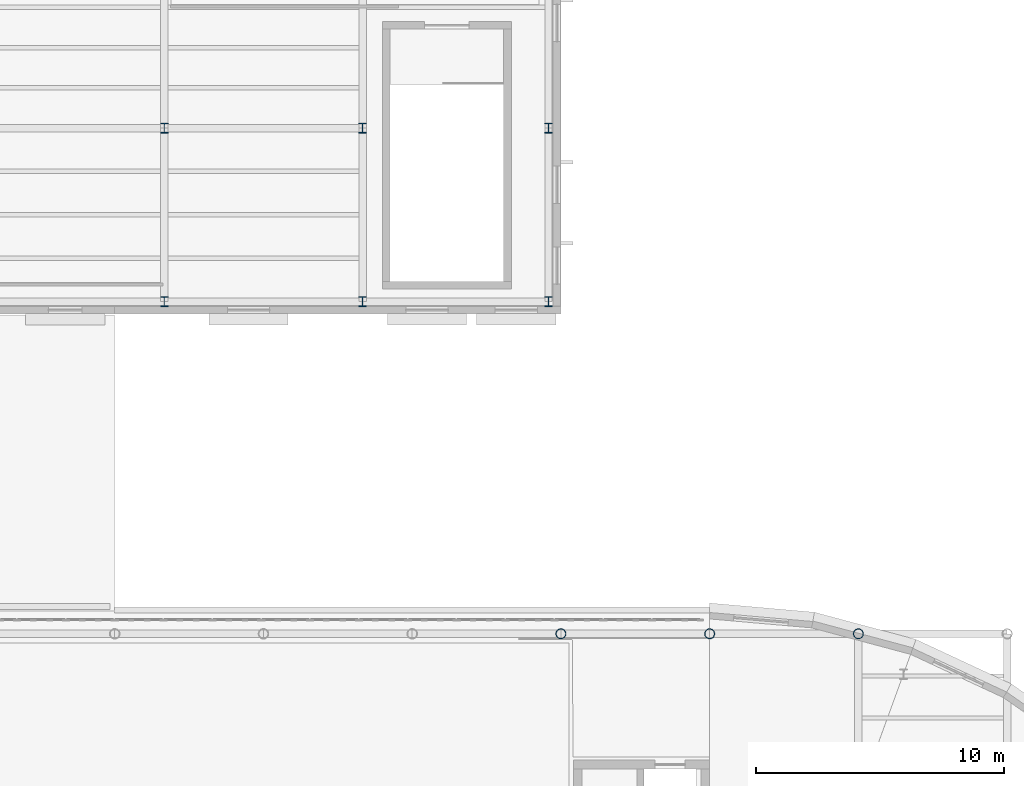
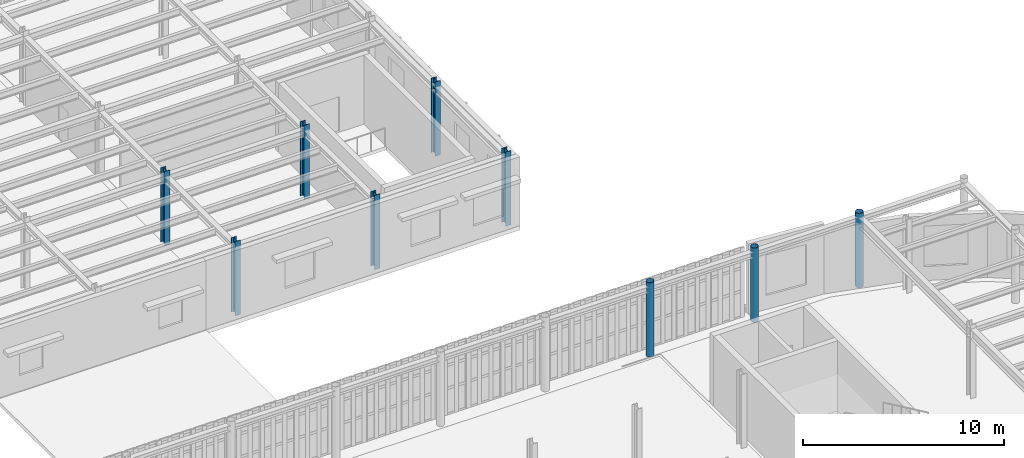
# One storey, part 12 of 91: 9 columns.
"""IFC4 building model written with IfcOpenShell, lengths in metres."""

from ifc_helpers import new_model, si_unit, direction, frame, origin, origin_2d, place, context, subcontext, project, spatial, hollow_circle, i_section, extrude, material, material_profile, profile_set, type_object, element, save


model = new_model("IFC4")

# Units and contexts
model_context = context("Model", 3, precision=1e-05, world=origin(), true_north=direction((0.0, 1.0)))
body_context = subcontext(model_context, "Body", "Model", "MODEL_VIEW")
ifc_project = project(units=[si_unit("LENGTHUNIT", "METRE"), si_unit("AREAUNIT", "SQUARE_METRE"), si_unit("VOLUMEUNIT", "CUBIC_METRE"), si_unit("PLANEANGLEUNIT", "RADIAN"), si_unit("MASSUNIT", "GRAM", prefix="KILO")], contexts=[model_context])

# Site, building, storey
site_placement = place(None, origin())
site = spatial("IfcSite", under=ifc_project, at=site_placement, CompositionType="ELEMENT")
building_placement = place(site_placement, origin())
building = spatial("IfcBuilding", under=site, at=building_placement, Name="Kolvaren Corner Interchange", CompositionType="ELEMENT")
storey_placement = place(building_placement, frame((0.0, 0.0, 6.0)))
storey = spatial("IfcBuildingStorey", under=building, at=storey_placement, Name="L02", CompositionType="ELEMENT", Elevation=6.0)

# Columns
ifc_material_1 = material(Name="Steel S355", Category="steel")
ifc_material_profile_1 = material_profile(ifc_material_1, hollow_circle(Radius=0.203125, WallThickness=0.01611328125, at=origin_2d()), Name="CHS 406.4x16.0")
ifc_profile_set_1 = profile_set([ifc_material_profile_1], Name="Steel S355")
column_type_1 = type_object("IfcColumnType", Name="COL-CHS406", PredefinedType="COLUMN", material=ifc_profile_set_1)
for number, where, z_axis, x_axis, name in (
    (1, (114.0, 71.10009765625, 0.0), (0.0, 0.0, 1.0), (1.0, 0.0, 0.0), "Storey L02 Structural Column 0661"),
    (2, (120.0, 71.10009765625, 0.0), (0.0, 0.0, 1.0), (1.0, 0.0, 0.0), "Storey L02 Structural Column 0675"),
    (3, (126.0, 71.10009765625, 0.0), (0.0, 0.0, 1.0), (1.0, 0.0, 0.0), "Storey L02 Structural Column 0745"),
):
    element("IfcColumn", number, at=place(storey_placement, frame(where, z_axis=z_axis, x_axis=x_axis)), inside=storey, type_object=column_type_1, Name=name, PredefinedType="COLUMN", context=body_context, shape_type="SweptSolid", body=[
        extrude(hollow_circle(Radius=0.203125, WallThickness=0.01611328125, at=origin_2d()), origin(), (0.0, 0.0, 1.0), 4.5),
    ])
ifc_material_2 = material(Name="Steel S355", Category="steel")
ifc_material_profile_2 = material_profile(ifc_material_2, i_section(OverallWidth=0.300048828125, OverallDepth=0.39990234375, WebThickness=0.013427734375, FlangeThickness=0.02392578125, FilletRadius=0.027099609375, at=origin_2d()), Name="HEB 400")
ifc_profile_set_2 = profile_set([ifc_material_profile_2], Name="Steel S355")
column_type_2 = type_object("IfcColumnType", Name="COL-HEB400", PredefinedType="COLUMN", material=ifc_profile_set_2)
for number, where, z_axis, x_axis, name in (
    (4, (98.0, 84.5, 0.0), (0.0, 0.0, 1.0), (1.0, 0.0, 0.0), "Storey L02 Structural Column 0907"),
    (5, (98.0, 91.5, 0.0), (0.0, 0.0, 1.0), (1.0, 0.0, 0.0), "Storey L02 Structural Column 0909"),
    (6, (106.0, 84.5, 0.0), (0.0, 0.0, 1.0), (1.0, 0.0, 0.0), "Storey L02 Structural Column 0917"),
    (7, (106.0, 91.5, 0.0), (0.0, 0.0, 1.0), (1.0, 0.0, 0.0), "Storey L02 Structural Column 0919"),
    (8, (113.5, 84.5, 0.0), (0.0, 0.0, 1.0), (1.0, 0.0, 0.0), "Storey L02 Structural Column 0927"),
    (9, (113.5, 91.5, 0.0), (0.0, 0.0, 1.0), (1.0, 0.0, 0.0), "Storey L02 Structural Column 0929"),
):
    element("IfcColumn", number, at=place(storey_placement, frame(where, z_axis=z_axis, x_axis=x_axis)), inside=storey, type_object=column_type_2, Name=name, PredefinedType="COLUMN", context=body_context, shape_type="SweptSolid", body=[
        extrude(i_section(OverallWidth=0.300048828125, OverallDepth=0.39990234375, WebThickness=0.013427734375, FlangeThickness=0.02392578125, FilletRadius=0.027099609375, at=origin_2d()), origin(), (0.0, 0.0, 1.0), 4.5),
    ])

save(model, "model.ifc")
